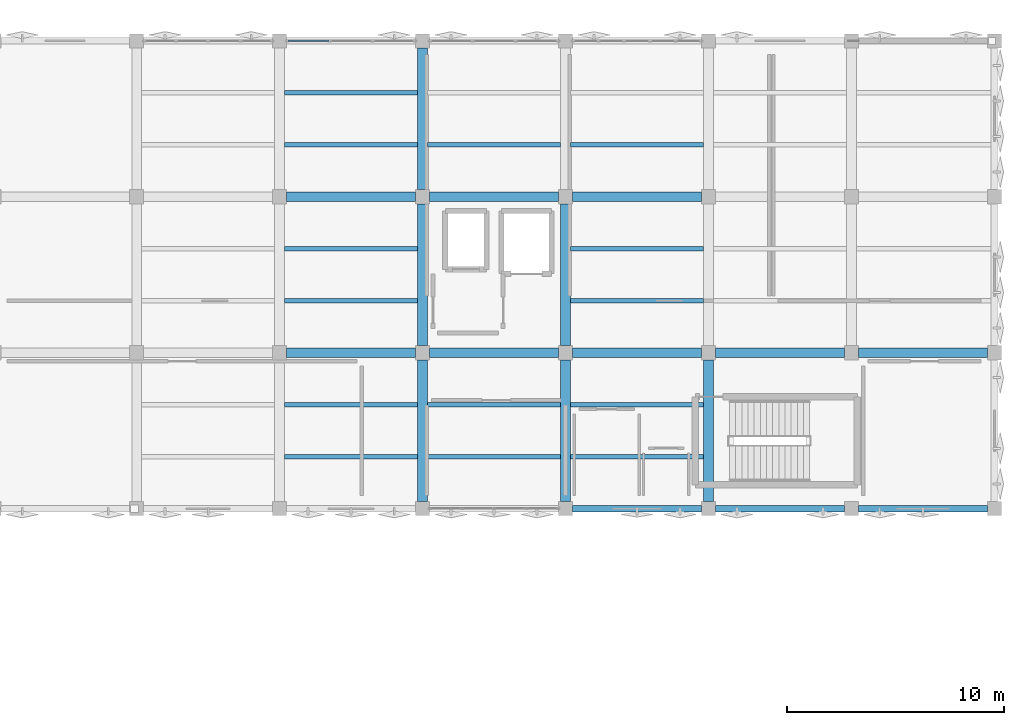
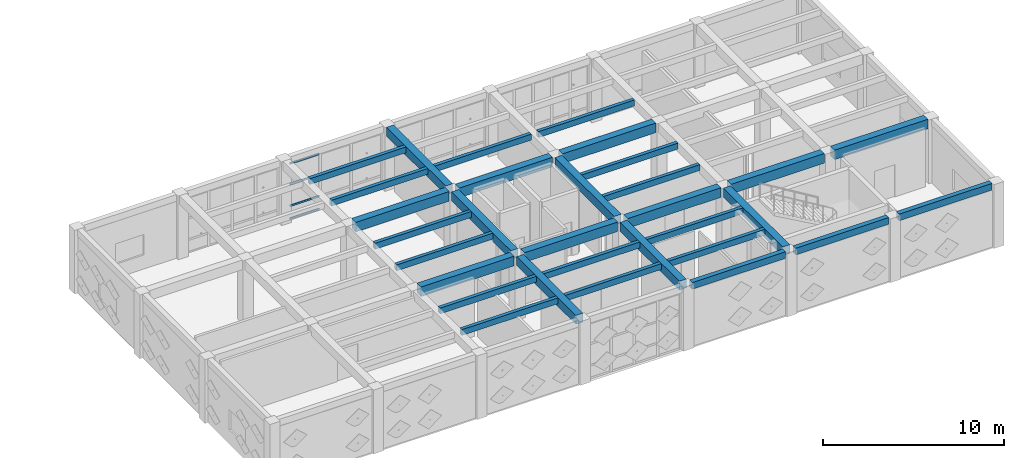
# One storey, part 14 of 39: 31 beams, 4 members, 1 element without a shape of its own.
"""IFC4 building model written with IfcOpenShell, lengths in metres."""

from ifc_helpers import new_model, si_unit, direction, frame, origin, origin_2d, place, context, subcontext, project, spatial, rectangle, hollow_rectangle, extrude, material, layer, layer_set, material_profile, profile_set, type_object, element, aggregate, save


model = new_model("IFC4")

# Units and contexts
model_context = context("Model", 3, precision=1e-05, world=origin(), true_north=direction((0.0, 1.0)))
body_context = subcontext(model_context, "Body", "Model", "MODEL_VIEW")
ifc_project = project(units=[si_unit("LENGTHUNIT", "METRE"), si_unit("AREAUNIT", "SQUARE_METRE"), si_unit("VOLUMEUNIT", "CUBIC_METRE"), si_unit("PLANEANGLEUNIT", "RADIAN"), si_unit("MASSUNIT", "GRAM", prefix="KILO")], contexts=[model_context])

# Site, building, storey
site_placement = place(None, origin())
site = spatial("IfcSite", under=ifc_project, at=site_placement, CompositionType="ELEMENT")
building_placement = place(site_placement, origin())
building = spatial("IfcBuilding", under=site, at=building_placement, Name="Kharisveld Research Institute", CompositionType="ELEMENT")
storey_placement = place(building_placement, frame((0.0, 0.0, 18.60009765625)))
storey = spatial("IfcBuildingStorey", under=building, at=storey_placement, Name="L04", CompositionType="ELEMENT", Elevation=18.60009765625)

# Beams
ifc_material_1 = material(Name="Concrete C40/50", Category="concrete")
ifc_material_profile_1 = material_profile(ifc_material_1, rectangle(XDim=0.449951171875, YDim=0.60009765625, at=origin_2d()))
ifc_profile_set_1 = profile_set([ifc_material_profile_1], Name="Concrete C40/50")
beam_type_1 = type_object("IfcBeamType", Name="BM_RC_450x600", PredefinedType="BEAM", material=ifc_profile_set_1)
beam_1_placement = place(storey_placement, frame((134.39990234375, 39.52490234375, 4.0), z_axis=(0.0, 1.0, 0.0), x_axis=(-1.0, 0.0, 0.0)))
element("IfcBeam", 1, at=beam_1_placement, inside=storey, type_object=beam_type_1, Name="BM:V2:L04:V3_0", PredefinedType="BEAM", context=body_context, shape_type="SweptSolid", body=[
    extrude(rectangle(XDim=0.449951171875, YDim=0.60009765625, at=origin_2d()), origin(), (0.0, 0.0, 1.0), 6.550048828125),
])
beam_2_placement = place(storey_placement, frame((134.39990234375, 46.72509765625, 4.0), z_axis=(0.0, 1.0, 0.0), x_axis=(-1.0, 0.0, 0.0)))
element("IfcBeam", 2, at=beam_2_placement, inside=storey, type_object=beam_type_1, Name="BM:V2:L04:V3_1", PredefinedType="BEAM", context=body_context, shape_type="SweptSolid", body=[
    extrude(rectangle(XDim=0.449951171875, YDim=0.60009765625, at=origin_2d()), origin(), (0.0, 0.0, 1.0), 6.5498046875),
])
for number, where, z_axis, x_axis, name in (
    (3, (134.39990234375, 53.925048828125, 4.0), (0.0, 1.0, 0.0), (-1.0, 0.0, 0.0), "BM:V2:L04:V3_2"),
    (4, (141.0, 39.52490234375, 4.0), (0.0, 1.0, 0.0), (-1.0, 0.0, 0.0), "BM:V2:L04:V4_0"),
):
    element("IfcBeam", number, at=place(storey_placement, frame(where, z_axis=z_axis, x_axis=x_axis)), inside=storey, type_object=beam_type_1, Name=name, PredefinedType="BEAM", context=body_context, shape_type="SweptSolid", body=[
        extrude(rectangle(XDim=0.449951171875, YDim=0.60009765625, at=origin_2d()), origin(), (0.0, 0.0, 1.0), 6.550048828125),
    ])
beam_3_placement = place(storey_placement, frame((141.0, 46.72509765625, 4.0), z_axis=(0.0, 1.0, 0.0), x_axis=(-1.0, 0.0, 0.0)))
element("IfcBeam", 5, at=beam_3_placement, inside=storey, type_object=beam_type_1, Name="BM:V2:L04:V4_1", PredefinedType="BEAM", context=body_context, shape_type="SweptSolid", body=[
    extrude(rectangle(XDim=0.449951171875, YDim=0.60009765625, at=origin_2d()), origin(), (0.0, 0.0, 1.0), 6.5498046875),
])
beam_4_placement = place(storey_placement, frame((147.60009765625, 39.52490234375, 4.0), z_axis=(0.0, 1.0, 0.0), x_axis=(-1.0, 0.0, 0.0)))
element("IfcBeam", 6, at=beam_4_placement, inside=storey, type_object=beam_type_1, Name="BM:V2:L04:V5_0", PredefinedType="BEAM", context=body_context, shape_type="SweptSolid", body=[
    extrude(rectangle(XDim=0.449951171875, YDim=0.60009765625, at=origin_2d()), origin(), (0.0, 0.0, 1.0), 6.550048828125),
])
ifc_material_2 = material(Name="Concrete C40/50", Category="concrete")
ifc_material_profile_2 = material_profile(ifc_material_2, rectangle(XDim=0.449951171875, YDim=0.64990234375, at=origin_2d()))
ifc_profile_set_2 = profile_set([ifc_material_profile_2], Name="Concrete C40/50")
beam_type_2 = type_object("IfcBeamType", Name="BM_RC_450x650", PredefinedType="BEAM", material=ifc_profile_set_2)
for number, where, z_axis, x_axis, name in (
    (7, (128.125, 46.39990234375, 3.974853515625), (1.0, 0.0, 0.0), (0.0, 1.0, 0.0), "BM:V2:L04:U2_1"),
    (8, (134.72509765625, 46.39990234375, 3.974853515625), (1.0, 0.0, 0.0), (0.0, 1.0, 0.0), "BM:V2:L04:U3_1"),
    (9, (141.324951171875, 46.39990234375, 3.974853515625), (1.0, 0.0, 0.0), (0.0, 1.0, 0.0), "BM:V2:L04:U4_1"),
    (10, (147.925048828125, 46.39990234375, 3.974853515625), (1.0, 0.0, 0.0), (0.0, 1.0, 0.0), "BM:V2:L04:U5_1"),
):
    element("IfcBeam", number, at=place(storey_placement, frame(where, z_axis=z_axis, x_axis=x_axis)), inside=storey, type_object=beam_type_2, Name=name, PredefinedType="BEAM", context=body_context, shape_type="SweptSolid", body=[
        extrude(rectangle(XDim=0.449951171875, YDim=0.64990234375, at=origin_2d()), origin(), (0.0, 0.0, 1.0), 5.949951171875),
    ])
beam_5_placement = place(storey_placement, frame((154.52490234375, 46.39990234375, 3.974853515625), z_axis=(1.0, 0.0, 0.0), x_axis=(0.0, 1.0, 0.0)))
element("IfcBeam", 11, at=beam_5_placement, inside=storey, type_object=beam_type_2, Name="BM:V2:L04:U6_1", PredefinedType="BEAM", context=body_context, shape_type="SweptSolid", body=[
    extrude(rectangle(XDim=0.449951171875, YDim=0.64990234375, at=origin_2d()), origin(), (0.0, 0.0, 1.0), 5.9501953125),
])
for number, where, z_axis, x_axis, name in (
    (12, (128.125, 53.60009765625, 3.974853515625), (1.0, 0.0, 0.0), (0.0, 1.0, 0.0), "BM:V2:L04:U2_2"),
    (13, (134.72509765625, 53.60009765625, 3.974853515625), (1.0, 0.0, 0.0), (0.0, 1.0, 0.0), "BM:V2:L04:U3_2"),
    (14, (141.324951171875, 53.60009765625, 3.974853515625), (1.0, 0.0, 0.0), (0.0, 1.0, 0.0), "BM:V2:L04:U4_2"),
):
    element("IfcBeam", number, at=place(storey_placement, frame(where, z_axis=z_axis, x_axis=x_axis)), inside=storey, type_object=beam_type_2, Name=name, PredefinedType="BEAM", context=body_context, shape_type="SweptSolid", body=[
        extrude(rectangle(XDim=0.449951171875, YDim=0.64990234375, at=origin_2d()), origin(), (0.0, 0.0, 1.0), 5.949951171875),
    ])

# Curtain wall, members
ifc_material_3 = material(Name="Thermally Broken Aluminium Curtain Wall", Category="aluminium")
ifc_layer = layer(ifc_material_3, 0.159912109375)
ifc_layer_set = layer_set([ifc_layer], Name="CW_SYS_05")
curtain_wall_type = type_object("IfcCurtainWallType", Name="CW_SYS_05", PredefinedType="NOTDEFINED", material=ifc_layer_set)
curtain_wall_placement = place(storey_placement, origin())
curtain_wall = element("IfcCurtainWall", 15, at=curtain_wall_placement, inside=storey, type_object=curtain_wall_type, Name="CW:V2:L04:N2", PredefinedType="NOTDEFINED")
ifc_material_4 = material(Name="Anodised Aluminium AW-6063-T6", Category="aluminium")
ifc_material_profile_3 = material_profile(ifc_material_4, hollow_rectangle(XDim=0.06005859375, YDim=0.1201171875, WallThickness=0.00390625, at=origin_2d()))
ifc_profile_set_3 = profile_set([ifc_material_profile_3], Name="Anodised Aluminium AW-6063-T6")
member_type = type_object("IfcMemberType", Name="CW_TRN_120", PredefinedType="USERDEFINED", material=ifc_profile_set_3)
member_1_placement = place(storey_placement, frame((128.18505859375, 60.800048828125, 0.02978515625), z_axis=(1.0, 0.0, 0.0), x_axis=(0.0, 1.0, 0.0)))
member_1 = element("IfcMember", 16, at=member_1_placement, type_object=member_type, Name="CW-05 transom 1.1", ObjectType="TRANSOM", PredefinedType="USERDEFINED", context=body_context, shape_type="SweptSolid", body=[
    extrude(hollow_rectangle(XDim=0.06005859375, YDim=0.1201171875, WallThickness=0.00390625, at=origin_2d()), origin(), (0.0, 0.0, 1.0), 1.88916015625),
])
member_2_placement = place(storey_placement, frame((128.18505859375, 60.800048828125, 0.89990234375), z_axis=(1.0, 0.0, 0.0), x_axis=(0.0, 1.0, 0.0)))
member_2 = element("IfcMember", 17, at=member_2_placement, type_object=member_type, Name="CW-05 transom 1.2", ObjectType="TRANSOM", PredefinedType="USERDEFINED", context=body_context, shape_type="SweptSolid", body=[
    extrude(hollow_rectangle(XDim=0.06005859375, YDim=0.1201171875, WallThickness=0.00390625, at=origin_2d()), origin(), (0.0, 0.0, 1.0), 1.88916015625),
])
member_3_placement = place(storey_placement, frame((128.18505859375, 60.800048828125, 2.349853515625), z_axis=(1.0, 0.0, 0.0), x_axis=(0.0, 1.0, 0.0)))
member_3 = element("IfcMember", 18, at=member_3_placement, type_object=member_type, Name="CW-05 transom 1.3", ObjectType="TRANSOM", PredefinedType="USERDEFINED", context=body_context, shape_type="SweptSolid", body=[
    extrude(hollow_rectangle(XDim=0.06005859375, YDim=0.1201171875, WallThickness=0.00390625, at=origin_2d()), origin(), (0.0, 0.0, 1.0), 1.88916015625),
])
member_4_placement = place(storey_placement, frame((128.18505859375, 60.800048828125, 3.75), z_axis=(1.0, 0.0, 0.0), x_axis=(0.0, 1.0, 0.0)))
member_4 = element("IfcMember", 19, at=member_4_placement, type_object=member_type, Name="CW-05 transom 1.4", ObjectType="TRANSOM", PredefinedType="USERDEFINED", context=body_context, shape_type="SweptSolid", body=[
    extrude(hollow_rectangle(XDim=0.06005859375, YDim=0.1201171875, WallThickness=0.00390625, at=origin_2d()), origin(), (0.0, 0.0, 1.0), 1.88916015625),
])
aggregate(curtain_wall, [member_1, member_2, member_3, member_4])

# Beams
ifc_material_5 = material(Name="Concrete C40/50", Category="concrete")
ifc_material_profile_4 = material_profile(ifc_material_5, rectangle(XDim=0.300048828125, YDim=0.449951171875, at=origin_2d()))
ifc_profile_set_4 = profile_set([ifc_material_profile_4], Name="Concrete C40/50")
beam_type_3 = type_object("IfcBeamType", Name="SP_RC_300x450", PredefinedType="SPANDREL", material=ifc_profile_set_4)
for number, where, z_axis, x_axis, name in (
    (20, (141.324951171875, 39.199951171875, 4.074951171875), (1.0, 0.0, 0.0), (0.0, 1.0, 0.0), "BM:V2:L04:U4_0"),
    (21, (147.925048828125, 39.199951171875, 4.074951171875), (1.0, 0.0, 0.0), (0.0, 1.0, 0.0), "BM:V2:L04:U5_0"),
):
    element("IfcBeam", number, at=place(storey_placement, frame(where, z_axis=z_axis, x_axis=x_axis)), inside=storey, type_object=beam_type_3, Name=name, PredefinedType="SPANDREL", context=body_context, shape_type="SweptSolid", body=[
        extrude(rectangle(XDim=0.300048828125, YDim=0.449951171875, at=origin_2d()), origin(), (0.0, 0.0, 1.0), 5.949951171875),
    ])
beam_6_placement = place(storey_placement, frame((154.52490234375, 39.199951171875, 4.074951171875), z_axis=(1.0, 0.0, 0.0), x_axis=(0.0, 1.0, 0.0)))
element("IfcBeam", 22, at=beam_6_placement, inside=storey, type_object=beam_type_3, Name="BM:V2:L04:U6_0", PredefinedType="SPANDREL", context=body_context, shape_type="SweptSolid", body=[
    extrude(rectangle(XDim=0.300048828125, YDim=0.449951171875, at=origin_2d()), origin(), (0.0, 0.0, 1.0), 5.9501953125),
])
ifc_material_6 = material(Name="Concrete C40/50", Category="concrete")
ifc_material_profile_5 = material_profile(ifc_material_6, rectangle(XDim=0.219970703125, YDim=0.39990234375, at=origin_2d()))
ifc_profile_set_5 = profile_set([ifc_material_profile_5], Name="Concrete C40/50")
beam_type_4 = type_object("IfcBeamType", Name="WB_RC_220x400", PredefinedType="JOIST", material=ifc_profile_set_5)
for number, where, z_axis, x_axis, name in (
    (23, (128.02490234375, 41.60009765625, 4.099853515625), (1.0, 0.0, 0.0), (0.0, 1.0, 0.0), "BM:V2:L04:J_2_0_R1"),
    (24, (128.02490234375, 44.0, 4.099853515625), (1.0, 0.0, 0.0), (0.0, 1.0, 0.0), "BM:V2:L04:J_2_0_R2"),
    (25, (128.02490234375, 48.800048828125, 4.099853515625), (1.0, 0.0, 0.0), (0.0, 1.0, 0.0), "BM:V2:L04:J_2_1_R1"),
    (26, (128.02490234375, 51.199951171875, 4.099853515625), (1.0, 0.0, 0.0), (0.0, 1.0, 0.0), "BM:V2:L04:J_2_1_R2"),
    (27, (128.02490234375, 56.0, 4.099853515625), (1.0, 0.0, 0.0), (0.0, 1.0, 0.0), "BM:V2:L04:J_2_2_R1"),
    (28, (128.02490234375, 58.39990234375, 4.099853515625), (1.0, 0.0, 0.0), (0.0, 1.0, 0.0), "BM:V2:L04:J_2_2_R2"),
):
    element("IfcBeam", number, at=place(storey_placement, frame(where, z_axis=z_axis, x_axis=x_axis)), inside=storey, type_object=beam_type_4, Name=name, PredefinedType="JOIST", context=body_context, shape_type="SweptSolid", body=[
        extrude(rectangle(XDim=0.219970703125, YDim=0.39990234375, at=origin_2d()), origin(), (0.0, 0.0, 1.0), 6.150146484375),
    ])
for number, where, z_axis, x_axis, name in (
    (29, (134.625, 41.60009765625, 4.099853515625), (1.0, 0.0, 0.0), (0.0, 1.0, 0.0), "BM:V2:L04:J_3_0_R1"),
    (30, (134.625, 44.0, 4.099853515625), (1.0, 0.0, 0.0), (0.0, 1.0, 0.0), "BM:V2:L04:J_3_0_R2"),
    (31, (134.625, 56.0, 4.099853515625), (1.0, 0.0, 0.0), (0.0, 1.0, 0.0), "BM:V2:L04:J_3_2_R1"),
    (32, (141.22509765625, 41.60009765625, 4.099853515625), (1.0, 0.0, 0.0), (0.0, 1.0, 0.0), "BM:V2:L04:J_4_0_R1"),
    (33, (141.22509765625, 44.0, 4.099853515625), (1.0, 0.0, 0.0), (0.0, 1.0, 0.0), "BM:V2:L04:J_4_0_R2"),
    (34, (141.22509765625, 48.800048828125, 4.099853515625), (1.0, 0.0, 0.0), (0.0, 1.0, 0.0), "BM:V2:L04:J_4_1_R1"),
    (35, (141.22509765625, 51.199951171875, 4.099853515625), (1.0, 0.0, 0.0), (0.0, 1.0, 0.0), "BM:V2:L04:J_4_1_R2"),
    (36, (141.22509765625, 56.0, 4.099853515625), (1.0, 0.0, 0.0), (0.0, 1.0, 0.0), "BM:V2:L04:J_4_2_R1"),
):
    element("IfcBeam", number, at=place(storey_placement, frame(where, z_axis=z_axis, x_axis=x_axis)), inside=storey, type_object=beam_type_4, Name=name, PredefinedType="JOIST", context=body_context, shape_type="SweptSolid", body=[
        extrude(rectangle(XDim=0.219970703125, YDim=0.39990234375, at=origin_2d()), origin(), (0.0, 0.0, 1.0), 6.14990234375),
    ])

save(model, "model.ifc")
